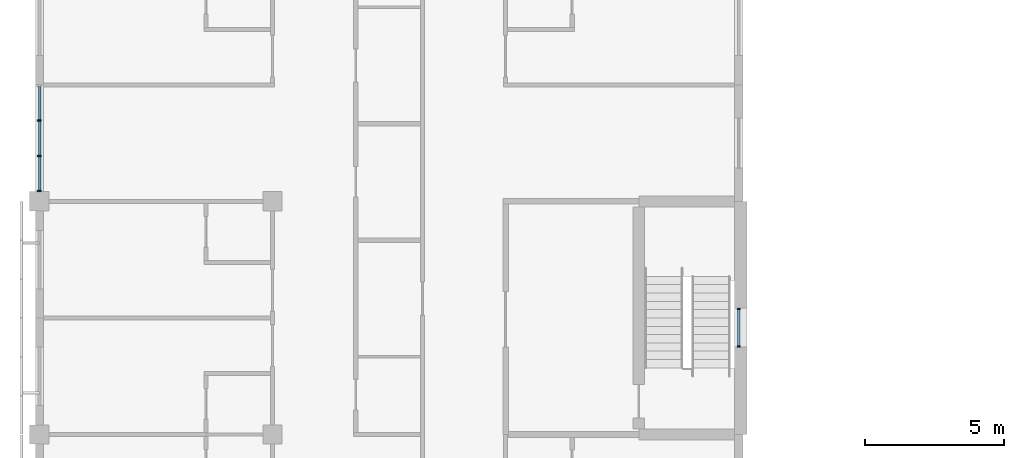
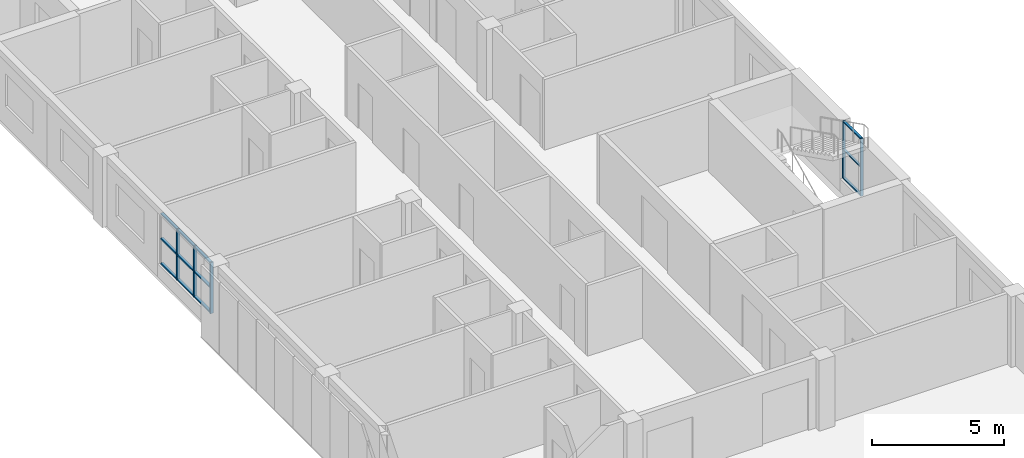
# One storey, part 7 of 46: 17 members, 2 elements without a shape of their own.
"""IFC4 building model written with IfcOpenShell, lengths in metres."""

from ifc_helpers import new_model, si_unit, direction, frame, origin, origin_2d, place, context, subcontext, project, spatial, rectangle, extrude, material, material_profile, profile_set, type_object, element, aggregate, save


model = new_model("IFC4")

# Units and contexts
model_context = context("Model", 3, precision=1e-05, world=origin(), true_north=direction((0.0, 1.0)))
body_context = subcontext(model_context, "Body", "Model", "MODEL_VIEW")
ifc_project = project(units=[si_unit("LENGTHUNIT", "METRE"), si_unit("AREAUNIT", "SQUARE_METRE"), si_unit("VOLUMEUNIT", "CUBIC_METRE"), si_unit("PLANEANGLEUNIT", "RADIAN"), si_unit("MASSUNIT", "GRAM", prefix="KILO")], contexts=[model_context])

# Site, building, storey
site_placement = place(None, origin())
site = spatial("IfcSite", under=ifc_project, at=site_placement, CompositionType="ELEMENT")
building_placement = place(site_placement, origin())
building = spatial("IfcBuilding", under=site, at=building_placement, Name="Yavir Park General Hospital", CompositionType="ELEMENT")
storey_placement = place(building_placement, frame((0.0, 0.0, 18.89990234375)))
storey = spatial("IfcBuildingStorey", under=building, at=storey_placement, Name="L04", CompositionType="ELEMENT", Elevation=18.89990234375)

# Curtain wall, members
ifc_material_1 = material(Name="Aluminium curtain wall frame with insulated glazing", Category="aluminium")
curtain_wall_type_1 = type_object("IfcCurtainWallType", Name="Day room pocket glazing, ward floors, 2360 high, 1400 module", PredefinedType="NOTDEFINED", material=ifc_material_1)
curtain_wall_1_placement = place(storey_placement, origin())
curtain_wall_1 = element("IfcCurtainWall", 1, at=curtain_wall_1_placement, inside=storey, type_object=curtain_wall_type_1, Name="CW6 L04-018", PredefinedType="NOTDEFINED")
ifc_material_2 = material(Name="Aluminium", Category="aluminium")
ifc_material_profile_1 = material_profile(ifc_material_2, rectangle(XDim=0.139892578125, YDim=0.06005859375, at=origin_2d()), Name="AL 60x140")
ifc_profile_set_1 = profile_set([ifc_material_profile_1], Name="Aluminium")
member_type_1 = type_object("IfcMemberType", Name="Day room pocket glazing, ward floors, 2360 high mullion 60 x 140", PredefinedType="MULLION", material=ifc_profile_set_1)
member_1_placement = place(storey_placement, frame((0.0, 50.780029296875, 0.60009765625), z_axis=(0.0, 0.0, 1.0), x_axis=(-1.0, 0.0, 0.0)))
member_1 = element("IfcMember", 2, at=member_1_placement, type_object=member_type_1, Name="CW6 mullion 1", PredefinedType="MULLION", context=body_context, shape_type="SweptSolid", body=[
    extrude(rectangle(XDim=0.139892578125, YDim=0.06005859375, at=origin_2d()), origin(), (0.0, 0.0, 1.0), 2.360107421875),
])
member_2_placement = place(storey_placement, frame((0.0, 52.033447265625, 0.60009765625), z_axis=(0.0, 0.0, 1.0), x_axis=(-1.0, 0.0, 0.0)))
member_2 = element("IfcMember", 3, at=member_2_placement, type_object=member_type_1, Name="CW6 mullion 2", PredefinedType="MULLION", context=body_context, shape_type="SweptSolid", body=[
    extrude(rectangle(XDim=0.139892578125, YDim=0.06005859375, at=origin_2d()), origin(), (0.0, 0.0, 1.0), 2.360107421875),
])
member_3_placement = place(storey_placement, frame((0.0, 53.316650390625, 0.60009765625), z_axis=(0.0, 0.0, 1.0), x_axis=(-1.0, 0.0, 0.0)))
member_3 = element("IfcMember", 4, at=member_3_placement, type_object=member_type_1, Name="CW6 mullion 3", PredefinedType="MULLION", context=body_context, shape_type="SweptSolid", body=[
    extrude(rectangle(XDim=0.139892578125, YDim=0.06005859375, at=origin_2d()), origin(), (0.0, 0.0, 1.0), 2.360107421875),
])
ifc_material_3 = material(Name="Aluminium", Category="aluminium")
ifc_material_profile_2 = material_profile(ifc_material_3, rectangle(XDim=0.1201171875, YDim=0.06005859375, at=origin_2d()), Name="AL 120x60")
ifc_profile_set_2 = profile_set([ifc_material_profile_2], Name="Aluminium")
member_type_2 = type_object("IfcMemberType", Name="Day room pocket glazing, ward floors, 2360 high transom 60 x 120", PredefinedType="MULLION", material=ifc_profile_set_2)
member_4_placement = place(storey_placement, frame((0.0, 50.81005859375, 0.630126953125), z_axis=(0.0, 1.0, 0.0), x_axis=(-1.0, 0.0, 0.0)))
member_4 = element("IfcMember", 5, at=member_4_placement, type_object=member_type_2, Name="CW6 transom 1.1", PredefinedType="MULLION", context=body_context, shape_type="SweptSolid", body=[
    extrude(rectangle(XDim=0.1201171875, YDim=0.06005859375, at=origin_2d()), origin(), (0.0, 0.0, 1.0), 1.193359375),
])
member_5_placement = place(storey_placement, frame((0.0, 50.81005859375, 1.780029296875), z_axis=(0.0, 1.0, 0.0), x_axis=(-1.0, 0.0, 0.0)))
member_5 = element("IfcMember", 6, at=member_5_placement, type_object=member_type_2, Name="CW6 transom 1.2", PredefinedType="MULLION", context=body_context, shape_type="SweptSolid", body=[
    extrude(rectangle(XDim=0.1201171875, YDim=0.06005859375, at=origin_2d()), origin(), (0.0, 0.0, 1.0), 1.193359375),
])
member_6_placement = place(storey_placement, frame((0.0, 50.81005859375, 2.93017578125), z_axis=(0.0, 1.0, 0.0), x_axis=(-1.0, 0.0, 0.0)))
member_6 = element("IfcMember", 7, at=member_6_placement, type_object=member_type_2, Name="CW6 transom 1.3", PredefinedType="MULLION", context=body_context, shape_type="SweptSolid", body=[
    extrude(rectangle(XDim=0.1201171875, YDim=0.06005859375, at=origin_2d()), origin(), (0.0, 0.0, 1.0), 1.193359375),
])
member_7_placement = place(storey_placement, frame((0.0, 52.063232421875, 0.630126953125), z_axis=(0.0, 1.0, 0.0), x_axis=(-1.0, 0.0, 0.0)))
member_7 = element("IfcMember", 8, at=member_7_placement, type_object=member_type_2, Name="CW6 transom 2.1", PredefinedType="MULLION", context=body_context, shape_type="SweptSolid", body=[
    extrude(rectangle(XDim=0.1201171875, YDim=0.06005859375, at=origin_2d()), origin(), (0.0, 0.0, 1.0), 1.223388671875),
])
member_8_placement = place(storey_placement, frame((0.0, 52.063232421875, 1.780029296875), z_axis=(0.0, 1.0, 0.0), x_axis=(-1.0, 0.0, 0.0)))
member_8 = element("IfcMember", 9, at=member_8_placement, type_object=member_type_2, Name="CW6 transom 2.2", PredefinedType="MULLION", context=body_context, shape_type="SweptSolid", body=[
    extrude(rectangle(XDim=0.1201171875, YDim=0.06005859375, at=origin_2d()), origin(), (0.0, 0.0, 1.0), 1.223388671875),
])
member_9_placement = place(storey_placement, frame((0.0, 52.063232421875, 2.93017578125), z_axis=(0.0, 1.0, 0.0), x_axis=(-1.0, 0.0, 0.0)))
member_9 = element("IfcMember", 10, at=member_9_placement, type_object=member_type_2, Name="CW6 transom 2.3", PredefinedType="MULLION", context=body_context, shape_type="SweptSolid", body=[
    extrude(rectangle(XDim=0.1201171875, YDim=0.06005859375, at=origin_2d()), origin(), (0.0, 0.0, 1.0), 1.223388671875),
])
member_10_placement = place(storey_placement, frame((0.0, 53.3466796875, 0.630126953125), z_axis=(0.0, 1.0, 0.0), x_axis=(-1.0, 0.0, 0.0)))
member_10 = element("IfcMember", 11, at=member_10_placement, type_object=member_type_2, Name="CW6 transom 3.1", PredefinedType="MULLION", context=body_context, shape_type="SweptSolid", body=[
    extrude(rectangle(XDim=0.1201171875, YDim=0.06005859375, at=origin_2d()), origin(), (0.0, 0.0, 1.0), 1.193359375),
])
member_11_placement = place(storey_placement, frame((0.0, 53.3466796875, 1.780029296875), z_axis=(0.0, 1.0, 0.0), x_axis=(-1.0, 0.0, 0.0)))
member_11 = element("IfcMember", 12, at=member_11_placement, type_object=member_type_2, Name="CW6 transom 3.2", PredefinedType="MULLION", context=body_context, shape_type="SweptSolid", body=[
    extrude(rectangle(XDim=0.1201171875, YDim=0.06005859375, at=origin_2d()), origin(), (0.0, 0.0, 1.0), 1.193359375),
])
member_12_placement = place(storey_placement, frame((0.0, 53.3466796875, 2.93017578125), z_axis=(0.0, 1.0, 0.0), x_axis=(-1.0, 0.0, 0.0)))
member_12 = element("IfcMember", 13, at=member_12_placement, type_object=member_type_2, Name="CW6 transom 3.3", PredefinedType="MULLION", context=body_context, shape_type="SweptSolid", body=[
    extrude(rectangle(XDim=0.1201171875, YDim=0.06005859375, at=origin_2d()), origin(), (0.0, 0.0, 1.0), 1.193359375),
])
aggregate(curtain_wall_1, [member_1, member_2, member_3, member_4, member_5, member_6, member_7, member_8, member_9, member_10, member_11, member_12])

ifc_material_4 = material(Name="Aluminium curtain wall frame with insulated glazing", Category="aluminium")
curtain_wall_type_2 = type_object("IfcCurtainWallType", Name="Stair light slot, ward floors, 2660 high, 1400 module", PredefinedType="NOTDEFINED", material=ifc_material_4)
curtain_wall_2_placement = place(storey_placement, origin())
curtain_wall_2 = element("IfcCurtainWall", 14, at=curtain_wall_2_placement, inside=storey, type_object=curtain_wall_type_2, Name="CW10 L04-022", PredefinedType="NOTDEFINED")
ifc_material_5 = material(Name="Aluminium", Category="aluminium")
ifc_material_profile_3 = material_profile(ifc_material_5, rectangle(XDim=0.1201171875, YDim=0.050048828125, at=origin_2d()), Name="AL 50x120")
ifc_profile_set_3 = profile_set([ifc_material_profile_3], Name="Aluminium")
member_type_3 = type_object("IfcMemberType", Name="Stair light slot, ward floors, 2660 high mullion 50 x 120", PredefinedType="MULLION", material=ifc_profile_set_3)
member_13_placement = place(storey_placement, frame((25.199951171875, 45.175048828125, 0.60009765625), z_axis=(0.0, 0.0, 1.0), x_axis=(-1.0, 0.0, 0.0)))
member_13 = element("IfcMember", 15, at=member_13_placement, type_object=member_type_3, Name="CW10 mullion 1", PredefinedType="MULLION", context=body_context, shape_type="SweptSolid", body=[
    extrude(rectangle(XDim=0.1201171875, YDim=0.050048828125, at=origin_2d()), origin(), (0.0, 0.0, 1.0), 2.659912109375),
])
member_14_placement = place(storey_placement, frame((25.199951171875, 46.52490234375, 0.60009765625), z_axis=(0.0, 0.0, 1.0), x_axis=(-1.0, 0.0, 0.0)))
member_14 = element("IfcMember", 16, at=member_14_placement, type_object=member_type_3, Name="CW10 mullion 2", PredefinedType="MULLION", context=body_context, shape_type="SweptSolid", body=[
    extrude(rectangle(XDim=0.1201171875, YDim=0.050048828125, at=origin_2d()), origin(), (0.0, 0.0, 1.0), 2.659912109375),
])
ifc_material_6 = material(Name="Aluminium", Category="aluminium")
ifc_material_profile_4 = material_profile(ifc_material_6, rectangle(XDim=0.10009765625, YDim=0.050048828125, at=origin_2d()), Name="AL 100x50")
ifc_profile_set_4 = profile_set([ifc_material_profile_4], Name="Aluminium")
member_type_4 = type_object("IfcMemberType", Name="Stair light slot, ward floors, 2660 high transom 50 x 100", PredefinedType="MULLION", material=ifc_profile_set_4)
member_15_placement = place(storey_placement, frame((25.199951171875, 45.199951171875, 0.625), z_axis=(0.0, 1.0, 0.0), x_axis=(-1.0, 0.0, 0.0)))
member_15 = element("IfcMember", 17, at=member_15_placement, type_object=member_type_4, Name="CW10 transom 1.1", PredefinedType="MULLION", context=body_context, shape_type="SweptSolid", body=[
    extrude(rectangle(XDim=0.10009765625, YDim=0.050048828125, at=origin_2d()), origin(), (0.0, 0.0, 1.0), 1.300048828125),
])
member_16_placement = place(storey_placement, frame((25.199951171875, 45.199951171875, 1.93017578125), z_axis=(0.0, 1.0, 0.0), x_axis=(-1.0, 0.0, 0.0)))
member_16 = element("IfcMember", 18, at=member_16_placement, type_object=member_type_4, Name="CW10 transom 1.2", PredefinedType="MULLION", context=body_context, shape_type="SweptSolid", body=[
    extrude(rectangle(XDim=0.10009765625, YDim=0.050048828125, at=origin_2d()), origin(), (0.0, 0.0, 1.0), 1.300048828125),
])
member_17_placement = place(storey_placement, frame((25.199951171875, 45.199951171875, 3.235107421875), z_axis=(0.0, 1.0, 0.0), x_axis=(-1.0, 0.0, 0.0)))
member_17 = element("IfcMember", 19, at=member_17_placement, type_object=member_type_4, Name="CW10 transom 1.3", PredefinedType="MULLION", context=body_context, shape_type="SweptSolid", body=[
    extrude(rectangle(XDim=0.10009765625, YDim=0.050048828125, at=origin_2d()), origin(), (0.0, 0.0, 1.0), 1.300048828125),
])
aggregate(curtain_wall_2, [member_13, member_14, member_15, member_16, member_17])

save(model, "model.ifc")
